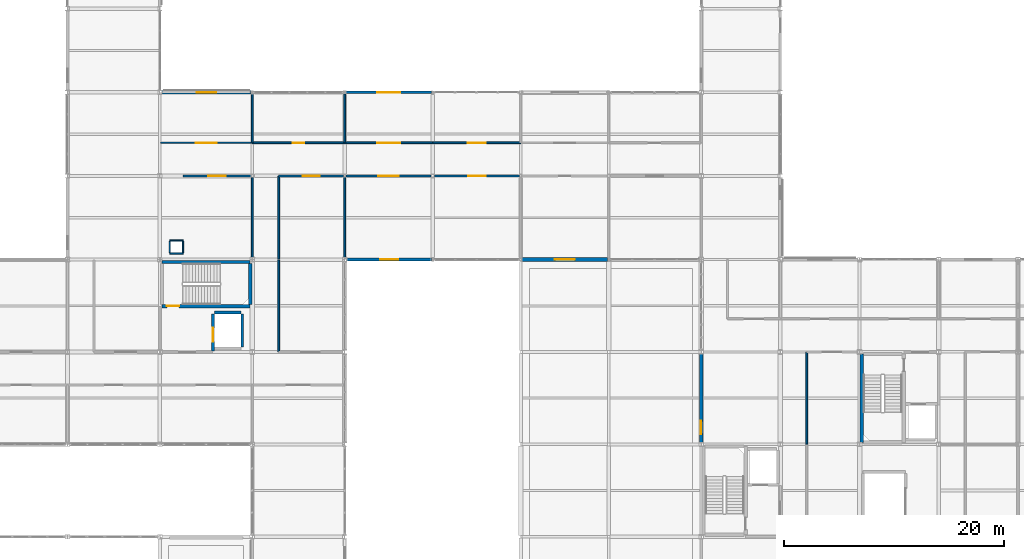
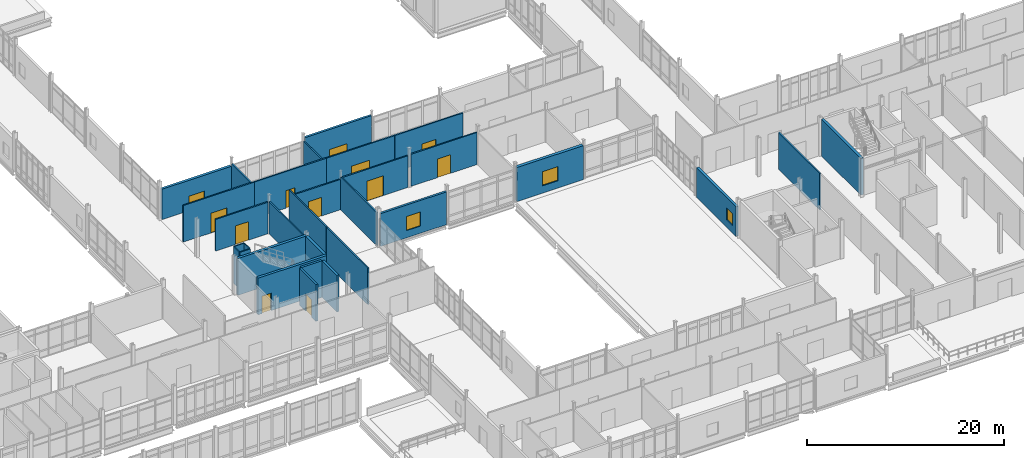
# One storey, part 162 of 186: 31 walls, 10 doors, 5 windows, 15 openings.
"""IFC4 building model written with IfcOpenShell, lengths in metres."""

from ifc_helpers import new_model, si_unit, direction, frame, frame_2d, origin, place, context, subcontext, project, spatial, rectangle, extrude, material, layer, layer_set, type_object, element, fill, save


model = new_model("IFC4")

# Units and contexts
model_context = context("Model", 3, precision=1e-05, world=origin(), true_north=direction((0.0, 1.0)))
body_context = subcontext(model_context, "Body", "Model", "MODEL_VIEW")
ifc_project = project(units=[si_unit("LENGTHUNIT", "METRE"), si_unit("AREAUNIT", "SQUARE_METRE"), si_unit("VOLUMEUNIT", "CUBIC_METRE"), si_unit("PLANEANGLEUNIT", "RADIAN"), si_unit("MASSUNIT", "GRAM", prefix="KILO")], contexts=[model_context])

# Site, building, storey
site_placement = place(None, origin())
site = spatial("IfcSite", under=ifc_project, at=site_placement, CompositionType="ELEMENT")
building_placement = place(site_placement, origin())
building = spatial("IfcBuilding", under=site, at=building_placement, Name="Calvrana Isthmian Art Gallery", CompositionType="ELEMENT")
storey_placement = place(building_placement, frame((0.0, 0.0, 5.39990234375)))
storey = spatial("IfcBuildingStorey", under=building, at=storey_placement, Name="L01", CompositionType="ELEMENT", Elevation=5.39990234375)

# Wall, opening, door
ifc_material_1 = material(Name="Concrete C40/50", Category="concrete")
ifc_layer_1 = layer(ifc_material_1, 0.300048828125, Name="Concrete C40/50")
ifc_layer_set_1 = layer_set([ifc_layer_1], Name="Concrete C40/50")
wall_type_1 = type_object("IfcWallType", Name="CW-SHAFT-300", PredefinedType="SHEAR", material=ifc_layer_set_1)
wall_1_placement = place(storey_placement, frame((63.7900390625, 42.56005859375, 0.0), z_axis=(0.0, 0.0, 1.0), x_axis=(1.0, 0.0, 0.0)))
wall_1 = element("IfcWall", 1, at=wall_1_placement, inside=storey, type_object=wall_type_1, Name="Core C2 shear wall S L01", PredefinedType="SHEAR", context=body_context, shape_type="SweptSolid", body=[
    extrude(rectangle(XDim=8.02001953125, YDim=0.300048828125, at=frame_2d((4.010009765625, 0.0))), origin(), (0.0, 0.0, 1.0), 4.5400390625),
])
opening_1_placement = place(wall_1_placement, frame((0.449951171875, 0.0, 0.0)))
opening_1 = element("IfcOpeningElement", 2, at=opening_1_placement, cuts=wall_1, Name="Opening D-118", PredefinedType="OPENING", context=body_context, shape_type="SweptSolid", body=[
    extrude(rectangle(XDim=1.10009765625, YDim=2.14990234375, at=frame_2d((0.550048828125, 1.074951171875))), frame((0.0, 0.16015625, 0.0), z_axis=(0.0, -1.0, 0.0), x_axis=(1.0, 0.0, 0.0)), (0.0, 0.0, 1.0), 0.320556640625),
])
ifc_material_2 = material(Name="Steel ASTM A572 Gr 50", Category="steel")
door_type_1 = type_object("IfcDoorType", Name="DR-FIRE-1100", OperationType="NOTDEFINED", PredefinedType="DOOR", material=ifc_material_2)
door_1_placement = place(opening_1_placement, origin())
door_1 = element("IfcDoor", 3, at=door_1_placement, inside=storey, type_object=door_type_1, Name="Stair ST-2 fire door L01", OperationType="SINGLE_SWING_RIGHT", OverallHeight=2.14990234375, OverallWidth=1.10009765625, PredefinedType="DOOR", context=body_context, shape_type="SweptSolid", body=[
    extrude(rectangle(XDim=1.10009765625, YDim=2.14990234375, at=frame_2d((0.550048828125, 1.074951171875))), frame((0.0, 0.02490234375, 0.0), z_axis=(0.0, -1.0, 0.0), x_axis=(1.0, 0.0, 0.0)), (0.0, 0.0, 1.0), 0.050048828125),
])
fill(opening_1, door_1)

# Walls
wall_2_placement = place(storey_placement, frame((63.7900390625, 46.580078125, 0.0), z_axis=(0.0, 0.0, 1.0), x_axis=(1.0, 0.0, 0.0)))
element("IfcWall", 4, at=wall_2_placement, inside=storey, type_object=wall_type_1, Name="Core C2 shear wall N L01", PredefinedType="SHEAR", context=body_context, shape_type="SweptSolid", body=[
    extrude(rectangle(XDim=8.02001953125, YDim=0.300048828125, at=frame_2d((4.010009765625, 0.0))), origin(), (0.0, 0.0, 1.0), 4.5400390625),
])
wall_3_placement = place(storey_placement, frame((71.81005859375, 42.7099609375, 0.0), z_axis=(0.0, 0.0, 1.0), x_axis=(0.0, 1.0, 0.0)))
element("IfcWall", 5, at=wall_3_placement, inside=storey, type_object=wall_type_1, Name="Core C2 shear wall E L01", PredefinedType="SHEAR", context=body_context, shape_type="SweptSolid", body=[
    extrude(rectangle(XDim=3.719970703125, YDim=0.300048828125, at=frame_2d((1.85986328125, 0.0))), origin(), (0.0, 0.0, 1.0), 4.5400390625),
])
wall_4_placement = place(storey_placement, frame((127.39990234375, 30.18994140625, 0.0), z_axis=(0.0, 0.0, 1.0), x_axis=(0.0, 1.0, 0.0)))
element("IfcWall", 6, at=wall_4_placement, inside=storey, type_object=wall_type_1, Name="Core C4 shear wall W L01", PredefinedType="SHEAR", context=body_context, shape_type="SweptSolid", body=[
    extrude(rectangle(XDim=8.02001953125, YDim=0.300048828125, at=frame_2d((4.010009765625, 0.0))), origin(), (0.0, 0.0, 1.0), 4.5400390625),
])

# Wall, opening, window
ifc_material_3 = material(Name="Pale Isthmian limestone", Category="masonry")
ifc_layer_2 = layer(ifc_material_3, 0.300048828125, Name="Pale Isthmian limestone")
ifc_layer_set_2 = layer_set([ifc_layer_2], Name="Pale Isthmian limestone")
wall_type_2 = type_object("IfcWallType", Name="EW-LIME-300", PredefinedType="SOLIDWALL", material=ifc_layer_set_2)
wall_5_placement = place(storey_placement, frame((63.78662109375, 62.0, 0.0), z_axis=(0.0, 0.0, 1.0), x_axis=(1.0, 0.0, 0.0)))
wall_5 = element("IfcWall", 7, at=wall_5_placement, inside=storey, type_object=wall_type_2, Name="Exterior wall EW-075", PredefinedType="SOLIDWALL", context=body_context, shape_type="SweptSolid", body=[
    extrude(rectangle(XDim=8.11181640625, YDim=0.300048828125, at=frame_2d((4.055908203125, 0.0))), origin(), (0.0, 0.0, 1.0), 3.758056640625),
])
opening_2_placement = place(wall_5_placement, frame((3.156005859375, 0.0, 0.89990234375)))
opening_2 = element("IfcOpeningElement", 8, at=opening_2_placement, cuts=wall_5, Name="Opening W-040", PredefinedType="OPENING", context=body_context, shape_type="SweptSolid", body=[
    extrude(rectangle(XDim=1.800048828125, YDim=0.89990234375, at=frame_2d((0.89990234375, 0.449951171875))), frame((0.0, 0.16015625, 0.0), z_axis=(0.0, -1.0, 0.0), x_axis=(1.0, 0.0, 0.0)), (0.0, 0.0, 1.0), 0.320556640625),
])
ifc_material_4 = material(Name="Low-E laminated solar glass", Category="glass")
window_type_1 = type_object("IfcWindowType", Name="WN-C01", PartitioningType="DOUBLE_PANEL_VERTICAL", PredefinedType="WINDOW", material=ifc_material_4)
window_1_placement = place(opening_2_placement, origin())
window_1 = element("IfcWindow", 9, at=window_1_placement, inside=storey, type_object=window_type_1, Name="Facade window W-040", OverallHeight=0.89990234375, OverallWidth=1.800048828125, PartitioningType="SINGLE_PANEL", PredefinedType="WINDOW", context=body_context, shape_type="SweptSolid", body=[
    extrude(rectangle(XDim=1.800048828125, YDim=0.89990234375, at=frame_2d((0.89990234375, 0.449951171875))), frame((0.0, 0.030029296875, 0.0), z_axis=(0.0, -1.0, 0.0), x_axis=(1.0, 0.0, 0.0)), (0.0, 0.0, 1.0), 0.06005859375),
])
fill(opening_2, window_1)

wall_6_placement = place(storey_placement, frame((112.800048828125, 30.1865234375, 0.0), z_axis=(0.0, 0.0, 1.0), x_axis=(0.0, 1.0, 0.0)))
wall_6 = element("IfcWall", 10, at=wall_6_placement, inside=storey, type_object=wall_type_2, Name="Exterior wall EW-103", PredefinedType="SOLIDWALL", context=body_context, shape_type="SweptSolid", body=[
    extrude(rectangle(XDim=8.025390625, YDim=0.300048828125, at=frame_2d((4.0126953125, 0.0))), origin(), (0.0, 0.0, 1.0), 3.6640625),
])
opening_3_placement = place(wall_6_placement, frame((0.75, 0.0, 0.89990234375)))
opening_3 = element("IfcOpeningElement", 11, at=opening_3_placement, cuts=wall_6, Name="Opening W-065", PredefinedType="OPENING", context=body_context, shape_type="SweptSolid", body=[
    extrude(rectangle(XDim=1.199951171875, YDim=1.5, at=frame_2d((0.60009765625, 0.75))), frame((0.0, 0.16015625, 0.0), z_axis=(0.0, -1.0, 0.0), x_axis=(1.0, 0.0, 0.0)), (0.0, 0.0, 1.0), 0.320556640625),
])
window_type_2 = type_object("IfcWindowType", Name="WN-G01", PartitioningType="SINGLE_PANEL", PredefinedType="WINDOW", material=ifc_material_4)
window_2_placement = place(opening_3_placement, origin())
window_2 = element("IfcWindow", 12, at=window_2_placement, inside=storey, type_object=window_type_2, Name="Facade window W-065", OverallHeight=1.5, OverallWidth=1.199951171875, PartitioningType="SINGLE_PANEL", PredefinedType="WINDOW", context=body_context, shape_type="SweptSolid", body=[
    extrude(rectangle(XDim=1.199951171875, YDim=1.5, at=frame_2d((0.60009765625, 0.75))), frame((0.0, 0.030029296875, 0.0), z_axis=(0.0, -1.0, 0.0), x_axis=(1.0, 0.0, 0.0)), (0.0, 0.0, 1.0), 0.06005859375),
])
fill(opening_3, window_2)

ifc_material_5 = material(Name="Precast concrete C40/50", Category="concrete")
ifc_layer_3 = layer(ifc_material_5, 0.35009765625, Name="Precast concrete C40/50")
ifc_layer_set_3 = layer_set([ifc_layer_3], Name="Precast concrete C40/50")
wall_type_3 = type_object("IfcWallType", Name="EW-PREC-350", PredefinedType="SOLIDWALL", material=ifc_layer_set_3)
wall_7_placement = place(storey_placement, frame((104.29833984375, 46.800048828125, 0.0), z_axis=(0.0, 0.0, 1.0), x_axis=(-1.0, 0.0, 0.0)))
wall_7 = element("IfcWall", 13, at=wall_7_placement, inside=storey, type_object=wall_type_3, Name="Exterior wall EW-069", PredefinedType="SOLIDWALL", context=body_context, shape_type="SweptSolid", body=[
    extrude(rectangle(XDim=7.771240234375, YDim=0.35009765625, at=frame_2d((3.8857421875, 0.0))), origin(), (0.0, 0.0, 1.0), 4.21533203125),
])
opening_4_placement = place(wall_7_placement, frame((2.985595703125, 0.0, 0.89990234375)))
opening_4 = element("IfcOpeningElement", 14, at=opening_4_placement, cuts=wall_7, Name="Opening W-034", PredefinedType="OPENING", context=body_context, shape_type="SweptSolid", body=[
    extrude(rectangle(XDim=1.800048828125, YDim=1.75, at=frame_2d((0.89990234375, 0.875))), frame((0.0, 0.185302734375, 0.0), z_axis=(0.0, -1.0, 0.0), x_axis=(1.0, 0.0, 0.0)), (0.0, 0.0, 1.0), 0.37060546875),
])
window_type_3 = type_object("IfcWindowType", Name="WN-G11", PartitioningType="DOUBLE_PANEL_VERTICAL", PredefinedType="WINDOW", material=ifc_material_4)
window_3_placement = place(opening_4_placement, origin())
window_3 = element("IfcWindow", 15, at=window_3_placement, inside=storey, type_object=window_type_3, Name="Facade window W-034", OverallHeight=1.75, OverallWidth=1.800048828125, PartitioningType="SINGLE_PANEL", PredefinedType="WINDOW", context=body_context, shape_type="SweptSolid", body=[
    extrude(rectangle(XDim=1.800048828125, YDim=1.75, at=frame_2d((0.89990234375, 0.875))), frame((0.0, 0.030029296875, 0.0), z_axis=(0.0, -1.0, 0.0), x_axis=(1.0, 0.0, 0.0)), (0.0, 0.0, 1.0), 0.06005859375),
])
fill(opening_4, window_3)

ifc_material_6 = material(Name="Polychrome glazed terracotta", Category="masonry")
ifc_layer_4 = layer(ifc_material_6, 0.25, Name="Polychrome glazed terracotta")
ifc_layer_set_4 = layer_set([ifc_layer_4], Name="Polychrome glazed terracotta")
wall_type_4 = type_object("IfcWallType", Name="EW-TERRA-250", PredefinedType="SOLIDWALL", material=ifc_layer_set_4)
wall_8_placement = place(storey_placement, frame((88.29833984375, 46.800048828125, 0.0), z_axis=(0.0, 0.0, 1.0), x_axis=(-1.0, 0.0, 0.0)))
wall_8 = element("IfcWall", 16, at=wall_8_placement, inside=storey, type_object=wall_type_4, Name="Exterior wall EW-068", PredefinedType="SOLIDWALL", context=body_context, shape_type="SweptSolid", body=[
    extrude(rectangle(XDim=7.700439453125, YDim=0.25, at=frame_2d((3.85009765625, 0.0))), origin(), (0.0, 0.0, 1.0), 4.05810546875),
])
opening_5_placement = place(wall_8_placement, frame((3.05029296875, 0.0, 0.89990234375)))
opening_5 = element("IfcOpeningElement", 17, at=opening_5_placement, cuts=wall_8, Name="Opening W-033", PredefinedType="OPENING", context=body_context, shape_type="SweptSolid", body=[
    extrude(rectangle(XDim=1.60009765625, YDim=1.75, at=frame_2d((0.800048828125, 0.875))), frame((0.0, 0.13525390625, 0.0), z_axis=(0.0, -1.0, 0.0), x_axis=(1.0, 0.0, 0.0)), (0.0, 0.0, 1.0), 0.2705078125),
])
window_type_4 = type_object("IfcWindowType", Name="WN-G10", PartitioningType="SINGLE_PANEL", PredefinedType="WINDOW", material=ifc_material_4)
window_4_placement = place(opening_5_placement, origin())
window_4 = element("IfcWindow", 18, at=window_4_placement, inside=storey, type_object=window_type_4, Name="Facade window W-033", OverallHeight=1.75, OverallWidth=1.60009765625, PartitioningType="SINGLE_PANEL", PredefinedType="WINDOW", context=body_context, shape_type="SweptSolid", body=[
    extrude(rectangle(XDim=1.60009765625, YDim=1.75, at=frame_2d((0.800048828125, 0.875))), frame((0.0, 0.030029296875, 0.0), z_axis=(0.0, -1.0, 0.0), x_axis=(1.0, 0.0, 0.0)), (0.0, 0.0, 1.0), 0.06005859375),
])
fill(opening_5, window_4)

wall_9_placement = place(storey_placement, frame((80.527099609375, 62.0, 0.0), z_axis=(0.0, 0.0, 1.0), x_axis=(1.0, 0.0, 0.0)))
wall_9 = element("IfcWall", 19, at=wall_9_placement, inside=storey, type_object=wall_type_4, Name="Exterior wall EW-076", PredefinedType="SOLIDWALL", context=body_context, shape_type="SweptSolid", body=[
    extrude(rectangle(XDim=7.771240234375, YDim=0.25, at=frame_2d((3.8857421875, 0.0))), origin(), (0.0, 0.0, 1.0), 4.26611328125),
])
opening_6_placement = place(wall_9_placement, frame((2.835693359375, 0.0, 0.89990234375)))
opening_6 = element("IfcOpeningElement", 20, at=opening_6_placement, cuts=wall_9, Name="Opening W-041", PredefinedType="OPENING", context=body_context, shape_type="SweptSolid", body=[
    extrude(rectangle(XDim=2.10009765625, YDim=0.89990234375, at=frame_2d((1.050048828125, 0.449951171875))), frame((0.0, 0.13525390625, 0.0), z_axis=(0.0, -1.0, 0.0), x_axis=(1.0, 0.0, 0.0)), (0.0, 0.0, 1.0), 0.2705078125),
])
window_type_5 = type_object("IfcWindowType", Name="WN-C02", PartitioningType="DOUBLE_PANEL_VERTICAL", PredefinedType="WINDOW", material=ifc_material_4)
window_5_placement = place(opening_6_placement, origin())
window_5 = element("IfcWindow", 21, at=window_5_placement, inside=storey, type_object=window_type_5, Name="Facade window W-041", OverallHeight=0.89990234375, OverallWidth=2.10009765625, PartitioningType="SINGLE_PANEL", PredefinedType="WINDOW", context=body_context, shape_type="SweptSolid", body=[
    extrude(rectangle(XDim=2.10009765625, YDim=0.89990234375, at=frame_2d((1.050048828125, 0.449951171875))), frame((0.0, 0.030029296875, 0.0), z_axis=(0.0, -1.0, 0.0), x_axis=(1.0, 0.0, 0.0)), (0.0, 0.0, 1.0), 0.06005859375),
])
fill(opening_6, window_5)

# Walls
ifc_material_7 = material(Name="Acoustic gypsum ceiling", Category="gypsum")
ifc_layer_5 = layer(ifc_material_7, 0.1201171875, Name="Acoustic gypsum ceiling")
ifc_layer_set_5 = layer_set([ifc_layer_5], Name="Acoustic gypsum ceiling")
wall_type_5 = type_object("IfcWallType", Name="PW-FURR-120", PredefinedType="PARTITIONING", material=ifc_layer_set_5)
for number, where, z_axis, x_axis, name in (
    (22, (64.5, 47.340087890625, 0.0), (0.0, 0.0, 1.0), (1.0, 0.0, 0.0), "MEP riser enclosure L01-10S"),
    (23, (64.5, 48.5400390625, 0.0), (0.0, 0.0, 1.0), (1.0, 0.0, 0.0), "MEP riser enclosure L01-10N"),
):
    element("IfcWall", number, at=place(storey_placement, frame(where, z_axis=z_axis, x_axis=x_axis)), inside=storey, type_object=wall_type_5, Name=name, PredefinedType="PARTITIONING", context=body_context, shape_type="SweptSolid", body=[
        extrude(rectangle(XDim=1.199951171875, YDim=0.1201171875, at=frame_2d((0.60009765625, 0.0))), origin(), (0.0, 0.0, 1.0), 4.5400390625),
    ])
for number, where, z_axis, x_axis, name in (
    (24, (64.5, 47.419921875, 0.0), (0.0, 0.0, 1.0), (0.0, 1.0, 0.0), "MEP riser enclosure L01-10W"),
    (25, (65.699951171875, 47.419921875, 0.0), (0.0, 0.0, 1.0), (0.0, 1.0, 0.0), "MEP riser enclosure L01-10E"),
):
    element("IfcWall", number, at=place(storey_placement, frame(where, z_axis=z_axis, x_axis=x_axis)), inside=storey, type_object=wall_type_5, Name=name, PredefinedType="PARTITIONING", context=body_context, shape_type="SweptSolid", body=[
        extrude(rectangle(XDim=1.0400390625, YDim=0.1201171875, at=frame_2d((0.52001953125, 0.0))), origin(), (0.0, 0.0, 1.0), 4.5400390625),
    ])
ifc_layer_6 = layer(ifc_material_7, 0.159912109375, Name="Acoustic gypsum ceiling")
ifc_layer_set_6 = layer_set([ifc_layer_6], Name="Acoustic gypsum ceiling")
wall_type_6 = type_object("IfcWallType", Name="PW-GAL-160", PredefinedType="PARTITIONING", material=ifc_layer_set_6)
wall_10_placement = place(storey_placement, frame((74.39990234375, 38.419921875, 0.0), z_axis=(0.0, 0.0, 1.0), x_axis=(0.0, 1.0, 0.0)))
element("IfcWall", 26, at=wall_10_placement, inside=storey, type_object=wall_type_6, Name="Interior partition PW-322", PredefinedType="PARTITIONING", context=body_context, shape_type="SweptSolid", body=[
    extrude(rectangle(XDim=8.340087890625, YDim=0.159912109375, at=frame_2d((4.169921875, 0.0))), origin(), (0.0, 0.0, 1.0), 4.52001953125),
])

# Wall, opening, door
wall_11_placement = place(storey_placement, frame((65.719970703125, 54.39990234375, 0.0), z_axis=(0.0, 0.0, 1.0), x_axis=(1.0, 0.0, 0.0)))
wall_11 = element("IfcWall", 27, at=wall_11_placement, inside=storey, type_object=wall_type_6, Name="Interior partition PW-342", PredefinedType="PARTITIONING", context=body_context, shape_type="SweptSolid", body=[
    extrude(rectangle(XDim=6.137939453125, YDim=0.159912109375, at=frame_2d((3.06884765625, 0.0))), origin(), (0.0, 0.0, 1.0), 3.908203125),
])
opening_7_placement = place(wall_11_placement, frame((2.2939453125, 0.0, 0.0)))
opening_7 = element("IfcOpeningElement", 28, at=opening_7_placement, cuts=wall_11, Name="Opening D-374", PredefinedType="OPENING", context=body_context, shape_type="SweptSolid", body=[
    extrude(rectangle(XDim=1.550048828125, YDim=2.300048828125, at=frame_2d((0.77490234375, 1.14990234375))), frame((0.0, 0.09033203125, 0.0), z_axis=(0.0, -1.0, 0.0), x_axis=(1.0, 0.0, 0.0)), (0.0, 0.0, 1.0), 0.180419921875),
])
ifc_material_8 = material(Name="Timber gallery flooring", Category="wood")
door_type_2 = type_object("IfcDoorType", Name="DR-AUD-1550", OperationType="DOUBLE_DOOR_SINGLE_SWING", PredefinedType="DOOR", material=ifc_material_8)
door_2_placement = place(opening_7_placement, origin())
door_2 = element("IfcDoor", 29, at=door_2_placement, inside=storey, type_object=door_type_2, Name="Interior door D-374", OperationType="DOUBLE_DOOR_SINGLE_SWING", OverallHeight=2.300048828125, OverallWidth=1.550048828125, PredefinedType="DOOR", context=body_context, shape_type="SweptSolid", body=[
    extrude(rectangle(XDim=1.550048828125, YDim=2.300048828125, at=frame_2d((0.77490234375, 1.14990234375))), frame((0.0, 0.02490234375, 0.0), z_axis=(0.0, -1.0, 0.0), x_axis=(1.0, 0.0, 0.0)), (0.0, 0.0, 1.0), 0.050048828125),
])
fill(opening_7, door_2)

# Walls
wall_12_placement = place(storey_placement, frame((72.0, 47.008056640625, 0.0), z_axis=(0.0, 0.0, 1.0), x_axis=(0.0, 1.0, 0.0)))
element("IfcWall", 30, at=wall_12_placement, inside=storey, type_object=wall_type_6, Name="Interior partition PW-343", PredefinedType="PARTITIONING", context=body_context, shape_type="SweptSolid", body=[
    extrude(rectangle(XDim=7.25, YDim=0.159912109375, at=frame_2d((3.625, 0.0))), origin(), (0.0, 0.0, 1.0), 3.987060546875),
])
wall_13_placement = place(storey_placement, frame((74.39990234375, 46.840087890625, 0.0), z_axis=(0.0, 0.0, 1.0), x_axis=(0.0, 1.0, 0.0)))
element("IfcWall", 31, at=wall_13_placement, inside=storey, type_object=wall_type_6, Name="Interior partition PW-344", PredefinedType="PARTITIONING", context=body_context, shape_type="SweptSolid", body=[
    extrude(rectangle(XDim=7.539794921875, YDim=0.159912109375, at=frame_2d((3.77001953125, 0.0))), origin(), (0.0, 0.0, 1.0), 4.52001953125),
])

# Wall, opening, door
wall_14_placement = place(storey_placement, frame((74.39990234375, 54.39990234375, 0.0), z_axis=(0.0, 0.0, 1.0), x_axis=(1.0, 0.0, 0.0)))
wall_14 = element("IfcWall", 32, at=wall_14_placement, inside=storey, type_object=wall_type_6, Name="Interior partition PW-345", PredefinedType="PARTITIONING", context=body_context, shape_type="SweptSolid", body=[
    extrude(rectangle(XDim=5.883544921875, YDim=0.159912109375, at=frame_2d((2.94189453125, 0.0))), origin(), (0.0, 0.0, 1.0), 3.758056640625),
])
opening_8_placement = place(wall_14_placement, frame((2.166748046875, 0.0, 0.0)))
opening_8 = element("IfcOpeningElement", 33, at=opening_8_placement, cuts=wall_14, Name="Opening D-375", PredefinedType="OPENING", context=body_context, shape_type="SweptSolid", body=[
    extrude(rectangle(XDim=1.550048828125, YDim=2.300048828125, at=frame_2d((0.77490234375, 1.14990234375))), frame((0.0, 0.09033203125, 0.0), z_axis=(0.0, -1.0, 0.0), x_axis=(1.0, 0.0, 0.0)), (0.0, 0.0, 1.0), 0.180419921875),
])
door_3_placement = place(opening_8_placement, origin())
door_3 = element("IfcDoor", 34, at=door_3_placement, inside=storey, type_object=door_type_2, Name="Interior door D-375", OperationType="DOUBLE_DOOR_SINGLE_SWING", OverallHeight=2.300048828125, OverallWidth=1.550048828125, PredefinedType="DOOR", context=body_context, shape_type="SweptSolid", body=[
    extrude(rectangle(XDim=1.550048828125, YDim=2.300048828125, at=frame_2d((0.77490234375, 1.14990234375))), frame((0.0, 0.02490234375, 0.0), z_axis=(0.0, -1.0, 0.0), x_axis=(1.0, 0.0, 0.0)), (0.0, 0.0, 1.0), 0.050048828125),
])
fill(opening_8, door_3)

# Wall
wall_15_placement = place(storey_placement, frame((80.39990234375, 47.005615234375, 0.0), z_axis=(0.0, 0.0, 1.0), x_axis=(0.0, 1.0, 0.0)))
element("IfcWall", 35, at=wall_15_placement, inside=storey, type_object=wall_type_6, Name="Interior partition PW-346", PredefinedType="PARTITIONING", context=body_context, shape_type="SweptSolid", body=[
    extrude(rectangle(XDim=7.27783203125, YDim=0.159912109375, at=frame_2d((3.638916015625, 0.0))), origin(), (0.0, 0.0, 1.0), 4.05810546875),
])

# Wall, opening, door
wall_16_placement = place(storey_placement, frame((80.5166015625, 54.39990234375, 0.0), z_axis=(0.0, 0.0, 1.0), x_axis=(1.0, 0.0, 0.0)))
wall_16 = element("IfcWall", 36, at=wall_16_placement, inside=storey, type_object=wall_type_6, Name="Interior partition PW-347", PredefinedType="PARTITIONING", context=body_context, shape_type="SweptSolid", body=[
    extrude(rectangle(XDim=7.716064453125, YDim=0.159912109375, at=frame_2d((3.85791015625, 0.0))), origin(), (0.0, 0.0, 1.0), 3.9130859375),
])
opening_9_placement = place(wall_16_placement, frame((2.907958984375, 0.0, 0.0)))
opening_9 = element("IfcOpeningElement", 37, at=opening_9_placement, cuts=wall_16, Name="Opening D-376", PredefinedType="OPENING", context=body_context, shape_type="SweptSolid", body=[
    extrude(rectangle(XDim=1.89990234375, YDim=2.449951171875, at=frame_2d((0.949951171875, 1.22509765625))), frame((0.0, 0.09033203125, 0.0), z_axis=(0.0, -1.0, 0.0), x_axis=(1.0, 0.0, 0.0)), (0.0, 0.0, 1.0), 0.180419921875),
])
door_type_3 = type_object("IfcDoorType", Name="DR-GAL-1900", OperationType="DOUBLE_DOOR_SINGLE_SWING", PredefinedType="DOOR", material=ifc_material_8)
door_4_placement = place(opening_9_placement, origin())
door_4 = element("IfcDoor", 38, at=door_4_placement, inside=storey, type_object=door_type_3, Name="Interior door D-376", OperationType="DOUBLE_DOOR_SINGLE_SWING", OverallHeight=2.449951171875, OverallWidth=1.89990234375, PredefinedType="DOOR", context=body_context, shape_type="SweptSolid", body=[
    extrude(rectangle(XDim=1.89990234375, YDim=2.449951171875, at=frame_2d((0.949951171875, 1.22509765625))), frame((0.0, 0.02490234375, 0.0), z_axis=(0.0, -1.0, 0.0), x_axis=(1.0, 0.0, 0.0)), (0.0, 0.0, 1.0), 0.050048828125),
])
fill(opening_9, door_4)

wall_17_placement = place(storey_placement, frame((88.5673828125, 54.39990234375, 0.0), z_axis=(0.0, 0.0, 1.0), x_axis=(1.0, 0.0, 0.0)))
wall_17 = element("IfcWall", 39, at=wall_17_placement, inside=storey, type_object=wall_type_6, Name="Interior partition PW-348", PredefinedType="PARTITIONING", context=body_context, shape_type="SweptSolid", body=[
    extrude(rectangle(XDim=7.716064453125, YDim=0.159912109375, at=frame_2d((3.85791015625, 0.0))), origin(), (0.0, 0.0, 1.0), 3.97119140625),
])
opening_10_placement = place(wall_17_placement, frame((3.0830078125, 0.0, 0.0)))
opening_10 = element("IfcOpeningElement", 40, at=opening_10_placement, cuts=wall_17, Name="Opening D-377", PredefinedType="OPENING", context=body_context, shape_type="SweptSolid", body=[
    extrude(rectangle(XDim=1.550048828125, YDim=2.300048828125, at=frame_2d((0.77490234375, 1.14990234375))), frame((0.0, 0.09033203125, 0.0), z_axis=(0.0, -1.0, 0.0), x_axis=(1.0, 0.0, 0.0)), (0.0, 0.0, 1.0), 0.180419921875),
])
door_5_placement = place(opening_10_placement, origin())
door_5 = element("IfcDoor", 41, at=door_5_placement, inside=storey, type_object=door_type_2, Name="Interior door D-377", OperationType="DOUBLE_DOOR_SINGLE_SWING", OverallHeight=2.300048828125, OverallWidth=1.550048828125, PredefinedType="DOOR", context=body_context, shape_type="SweptSolid", body=[
    extrude(rectangle(XDim=1.550048828125, YDim=2.300048828125, at=frame_2d((0.77490234375, 1.14990234375))), frame((0.0, 0.02490234375, 0.0), z_axis=(0.0, -1.0, 0.0), x_axis=(1.0, 0.0, 0.0)), (0.0, 0.0, 1.0), 0.050048828125),
])
fill(opening_10, door_5)

wall_18_placement = place(storey_placement, frame((63.659912109375, 57.409912109375, 0.0), z_axis=(0.0, 0.0, 1.0), x_axis=(1.0, 0.0, 0.0)))
wall_18 = element("IfcWall", 42, at=wall_18_placement, inside=storey, type_object=wall_type_6, Name="Interior partition PW-354", PredefinedType="PARTITIONING", context=body_context, shape_type="SweptSolid", body=[
    extrude(rectangle(XDim=8.330078125, YDim=0.159912109375, at=frame_2d((4.1650390625, 0.0))), origin(), (0.0, 0.0, 1.0), 4.52001953125),
])
opening_11_placement = place(wall_18_placement, frame((3.215087890625, 0.0, 0.0)))
opening_11 = element("IfcOpeningElement", 43, at=opening_11_placement, cuts=wall_18, Name="Opening D-380", PredefinedType="OPENING", context=body_context, shape_type="SweptSolid", body=[
    extrude(rectangle(XDim=1.89990234375, YDim=2.449951171875, at=frame_2d((0.949951171875, 1.22509765625))), frame((0.0, 0.09033203125, 0.0), z_axis=(0.0, -1.0, 0.0), x_axis=(1.0, 0.0, 0.0)), (0.0, 0.0, 1.0), 0.180419921875),
])
door_6_placement = place(opening_11_placement, origin())
door_6 = element("IfcDoor", 44, at=door_6_placement, inside=storey, type_object=door_type_3, Name="Interior door D-380", OperationType="DOUBLE_DOOR_SINGLE_SWING", OverallHeight=2.449951171875, OverallWidth=1.89990234375, PredefinedType="DOOR", context=body_context, shape_type="SweptSolid", body=[
    extrude(rectangle(XDim=1.89990234375, YDim=2.449951171875, at=frame_2d((0.949951171875, 1.22509765625))), frame((0.0, 0.02490234375, 0.0), z_axis=(0.0, -1.0, 0.0), x_axis=(1.0, 0.0, 0.0)), (0.0, 0.0, 1.0), 0.050048828125),
])
fill(opening_11, door_6)

# Wall
wall_19_placement = place(storey_placement, frame((72.0, 57.419921875, 0.0), z_axis=(0.0, 0.0, 1.0), x_axis=(0.0, 1.0, 0.0)))
element("IfcWall", 45, at=wall_19_placement, inside=storey, type_object=wall_type_6, Name="Interior partition PW-355", PredefinedType="PARTITIONING", context=body_context, shape_type="SweptSolid", body=[
    extrude(rectangle(XDim=4.41259765625, YDim=0.159912109375, at=frame_2d((2.206298828125, 0.0))), origin(), (0.0, 0.0, 1.0), 4.05810546875),
])

# Wall, opening, door
wall_20_placement = place(storey_placement, frame((72.010009765625, 57.409912109375, 0.0), z_axis=(0.0, 0.0, 1.0), x_axis=(1.0, 0.0, 0.0)))
wall_20 = element("IfcWall", 46, at=wall_20_placement, inside=storey, type_object=wall_type_6, Name="Interior partition PW-356", PredefinedType="PARTITIONING", context=body_context, shape_type="SweptSolid", body=[
    extrude(rectangle(XDim=8.3798828125, YDim=0.159912109375, at=frame_2d((4.18994140625, 0.0))), origin(), (0.0, 0.0, 1.0), 4.52001953125),
])
opening_12_placement = place(wall_20_placement, frame((3.6650390625, 0.0, 0.0)))
opening_12 = element("IfcOpeningElement", 47, at=opening_12_placement, cuts=wall_20, Name="Opening D-381", PredefinedType="OPENING", context=body_context, shape_type="SweptSolid", body=[
    extrude(rectangle(XDim=1.050048828125, YDim=2.14990234375, at=frame_2d((0.52490234375, 1.074951171875))), frame((0.0, 0.09033203125, 0.0), z_axis=(0.0, -1.0, 0.0), x_axis=(1.0, 0.0, 0.0)), (0.0, 0.0, 1.0), 0.180419921875),
])
door_type_4 = type_object("IfcDoorType", Name="DR-RM-1050", OperationType="NOTDEFINED", PredefinedType="DOOR", material=ifc_material_8)
door_7_placement = place(opening_12_placement, origin())
door_7 = element("IfcDoor", 48, at=door_7_placement, inside=storey, type_object=door_type_4, Name="Interior door D-381", OperationType="SINGLE_SWING_LEFT", OverallHeight=2.14990234375, OverallWidth=1.050048828125, PredefinedType="DOOR", context=body_context, shape_type="SweptSolid", body=[
    extrude(rectangle(XDim=1.050048828125, YDim=2.14990234375, at=frame_2d((0.52490234375, 1.074951171875))), frame((0.0, 0.02490234375, 0.0), z_axis=(0.0, -1.0, 0.0), x_axis=(1.0, 0.0, 0.0)), (0.0, 0.0, 1.0), 0.050048828125),
])
fill(opening_12, door_7)

# Wall
wall_21_placement = place(storey_placement, frame((80.39990234375, 57.419921875, 0.0), z_axis=(0.0, 0.0, 1.0), x_axis=(0.0, 1.0, 0.0)))
element("IfcWall", 49, at=wall_21_placement, inside=storey, type_object=wall_type_6, Name="Interior partition PW-357", PredefinedType="PARTITIONING", context=body_context, shape_type="SweptSolid", body=[
    extrude(rectangle(XDim=4.43798828125, YDim=0.159912109375, at=frame_2d((2.218994140625, 0.0))), origin(), (0.0, 0.0, 1.0), 3.908203125),
])

# Wall, opening, door
wall_22_placement = place(storey_placement, frame((80.409912109375, 57.409912109375, 0.0), z_axis=(0.0, 0.0, 1.0), x_axis=(1.0, 0.0, 0.0)))
wall_22 = element("IfcWall", 50, at=wall_22_placement, inside=storey, type_object=wall_type_6, Name="Interior partition PW-358", PredefinedType="PARTITIONING", context=body_context, shape_type="SweptSolid", body=[
    extrude(rectangle(XDim=7.97998046875, YDim=0.159912109375, at=frame_2d((3.989990234375, 0.0))), origin(), (0.0, 0.0, 1.0), 4.52001953125),
])
opening_13_placement = place(wall_22_placement, frame((2.93994140625, 0.0, 0.0)))
opening_13 = element("IfcOpeningElement", 51, at=opening_13_placement, cuts=wall_22, Name="Opening D-382", PredefinedType="OPENING", context=body_context, shape_type="SweptSolid", body=[
    extrude(rectangle(XDim=2.10009765625, YDim=2.5, at=frame_2d((1.050048828125, 1.25))), frame((0.0, 0.09033203125, 0.0), z_axis=(0.0, -1.0, 0.0), x_axis=(1.0, 0.0, 0.0)), (0.0, 0.0, 1.0), 0.180419921875),
])
door_type_5 = type_object("IfcDoorType", Name="DR-GAL-2100", OperationType="DOUBLE_DOOR_SINGLE_SWING", PredefinedType="DOOR", material=ifc_material_8)
door_8_placement = place(opening_13_placement, origin())
door_8 = element("IfcDoor", 52, at=door_8_placement, inside=storey, type_object=door_type_5, Name="Interior door D-382", OperationType="DOUBLE_DOOR_SINGLE_SWING", OverallHeight=2.5, OverallWidth=2.10009765625, PredefinedType="DOOR", context=body_context, shape_type="SweptSolid", body=[
    extrude(rectangle(XDim=2.10009765625, YDim=2.5, at=frame_2d((1.050048828125, 1.25))), frame((0.0, 0.02490234375, 0.0), z_axis=(0.0, -1.0, 0.0), x_axis=(1.0, 0.0, 0.0)), (0.0, 0.0, 1.0), 0.050048828125),
])
fill(opening_13, door_8)

wall_23_placement = place(storey_placement, frame((88.409912109375, 57.409912109375, 0.0), z_axis=(0.0, 0.0, 1.0), x_axis=(1.0, 0.0, 0.0)))
wall_23 = element("IfcWall", 53, at=wall_23_placement, inside=storey, type_object=wall_type_6, Name="Interior partition PW-359", PredefinedType="PARTITIONING", context=body_context, shape_type="SweptSolid", body=[
    extrude(rectangle(XDim=7.97998046875, YDim=0.159912109375, at=frame_2d((3.989990234375, 0.0))), origin(), (0.0, 0.0, 1.0), 4.52001953125),
])
opening_14_placement = place(wall_23_placement, frame((3.18994140625, 0.0, 0.0)))
opening_14 = element("IfcOpeningElement", 54, at=opening_14_placement, cuts=wall_23, Name="Opening D-383", PredefinedType="OPENING", context=body_context, shape_type="SweptSolid", body=[
    extrude(rectangle(XDim=1.60009765625, YDim=2.35009765625, at=frame_2d((0.800048828125, 1.175048828125))), frame((0.0, 0.09033203125, 0.0), z_axis=(0.0, -1.0, 0.0), x_axis=(1.0, 0.0, 0.0)), (0.0, 0.0, 1.0), 0.180419921875),
])
door_type_6 = type_object("IfcDoorType", Name="DR-GAL-1600", OperationType="DOUBLE_DOOR_SINGLE_SWING", PredefinedType="DOOR", material=ifc_material_8)
door_9_placement = place(opening_14_placement, origin())
door_9 = element("IfcDoor", 55, at=door_9_placement, inside=storey, type_object=door_type_6, Name="Interior door D-383", OperationType="DOUBLE_DOOR_SINGLE_SWING", OverallHeight=2.35009765625, OverallWidth=1.60009765625, PredefinedType="DOOR", context=body_context, shape_type="SweptSolid", body=[
    extrude(rectangle(XDim=1.60009765625, YDim=2.35009765625, at=frame_2d((0.800048828125, 1.175048828125))), frame((0.0, 0.02490234375, 0.0), z_axis=(0.0, -1.0, 0.0), x_axis=(1.0, 0.0, 0.0)), (0.0, 0.0, 1.0), 0.050048828125),
])
fill(opening_14, door_9)

# Walls
wall_24_placement = place(storey_placement, frame((122.39990234375, 30.02001953125, 0.0), z_axis=(0.0, 0.0, 1.0), x_axis=(0.0, 1.0, 0.0)))
element("IfcWall", 56, at=wall_24_placement, inside=storey, type_object=wall_type_6, Name="Interior partition PW-382", PredefinedType="PARTITIONING", context=body_context, shape_type="SweptSolid", body=[
    extrude(rectangle(XDim=8.35986328125, YDim=0.159912109375, at=frame_2d((4.179931640625, 0.0))), origin(), (0.0, 0.0, 1.0), 4.52001953125),
])
ifc_material_9 = material(Name="Concrete C35/45", Category="concrete")
ifc_layer_7 = layer(ifc_material_9, 0.25, Name="Concrete C35/45")
ifc_layer_set_7 = layer_set([ifc_layer_7], Name="Concrete C35/45")
wall_type_7 = type_object("IfcWallType", Name="PW-SHAFT-250", PredefinedType="PARTITIONING", material=ifc_layer_set_7)
wall_25_placement = place(storey_placement, frame((71.080078125, 38.85009765625, 0.0), z_axis=(0.0, 0.0, 1.0), x_axis=(0.0, 1.0, 0.0)))
element("IfcWall", 57, at=wall_25_placement, inside=storey, type_object=wall_type_7, Name="Lift EL-02 shaft wall E L01", PredefinedType="PARTITIONING", context=body_context, shape_type="SweptSolid", body=[
    extrude(rectangle(XDim=3.0, YDim=0.25, at=frame_2d((1.5, 0.0))), origin(), (0.0, 0.0, 1.0), 4.5400390625),
])
wall_26_placement = place(storey_placement, frame((68.550048828125, 41.97998046875, 0.0), z_axis=(0.0, 0.0, 1.0), x_axis=(1.0, 0.0, 0.0)))
element("IfcWall", 58, at=wall_26_placement, inside=storey, type_object=wall_type_7, Name="Lift EL-02 shaft wall N L01", PredefinedType="PARTITIONING", context=body_context, shape_type="SweptSolid", body=[
    extrude(rectangle(XDim=2.39990234375, YDim=0.25, at=frame_2d((1.199951171875, 0.0))), origin(), (0.0, 0.0, 1.0), 4.5400390625),
])

# Wall, opening, door
wall_27_placement = place(storey_placement, frame((68.419921875, 38.5, 0.0), z_axis=(0.0, 0.0, 1.0), x_axis=(0.0, 1.0, 0.0)))
wall_27 = element("IfcWall", 59, at=wall_27_placement, inside=storey, type_object=wall_type_7, Name="Lift EL-02 shaft wall W L01", PredefinedType="PARTITIONING", context=body_context, shape_type="SweptSolid", body=[
    extrude(rectangle(XDim=3.35009765625, YDim=0.25, at=frame_2d((1.675048828125, 0.0))), origin(), (0.0, 0.0, 1.0), 4.5400390625),
])
opening_15_placement = place(wall_27_placement, frame((0.85009765625, 0.0, 0.0)))
opening_15 = element("IfcOpeningElement", 60, at=opening_15_placement, cuts=wall_27, Name="Opening LD-02-L01", PredefinedType="OPENING", context=body_context, shape_type="SweptSolid", body=[
    extrude(rectangle(XDim=1.25, YDim=2.14990234375, at=frame_2d((0.625, 1.074951171875))), frame((0.0, 0.13525390625, 0.0), z_axis=(0.0, -1.0, 0.0), x_axis=(1.0, 0.0, 0.0)), (0.0, 0.0, 1.0), 0.2705078125),
])
ifc_material_10 = material(Name="Stainless steel 316", Category="steel")
door_type_7 = type_object("IfcDoorType", Name="DR-LIFT-1250", OperationType="DOUBLE_DOOR_SLIDING", PredefinedType="DOOR", material=ifc_material_10)
door_10_placement = place(opening_15_placement, origin())
door_10 = element("IfcDoor", 61, at=door_10_placement, inside=storey, type_object=door_type_7, Name="Lift EL-02 sliding landing door L01", OperationType="DOUBLE_DOOR_SLIDING", OverallHeight=2.14990234375, OverallWidth=1.25, PredefinedType="DOOR", context=body_context, shape_type="SweptSolid", body=[
    extrude(rectangle(XDim=1.25, YDim=2.14990234375, at=frame_2d((0.625, 1.074951171875))), frame((0.0, 0.02490234375, 0.0), z_axis=(0.0, -1.0, 0.0), x_axis=(1.0, 0.0, 0.0)), (0.0, 0.0, 1.0), 0.050048828125),
])
fill(opening_15, door_10)

save(model, "model.ifc")
